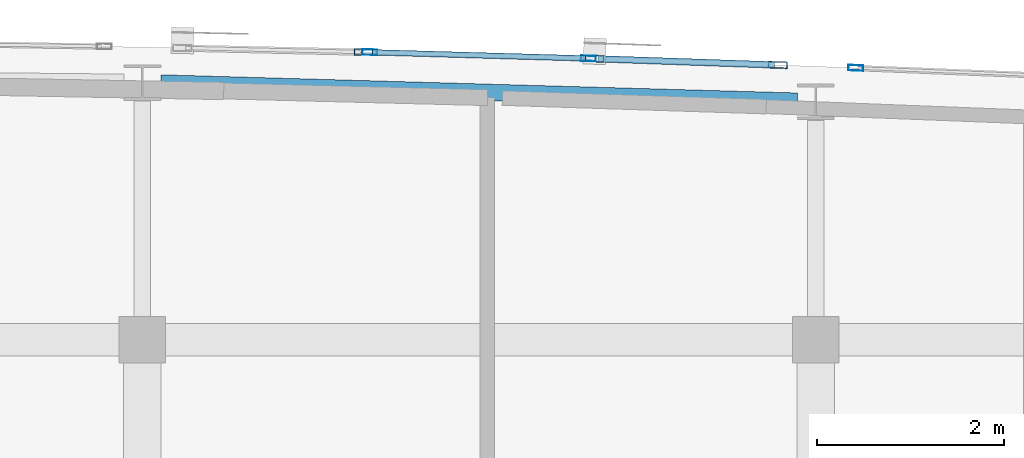
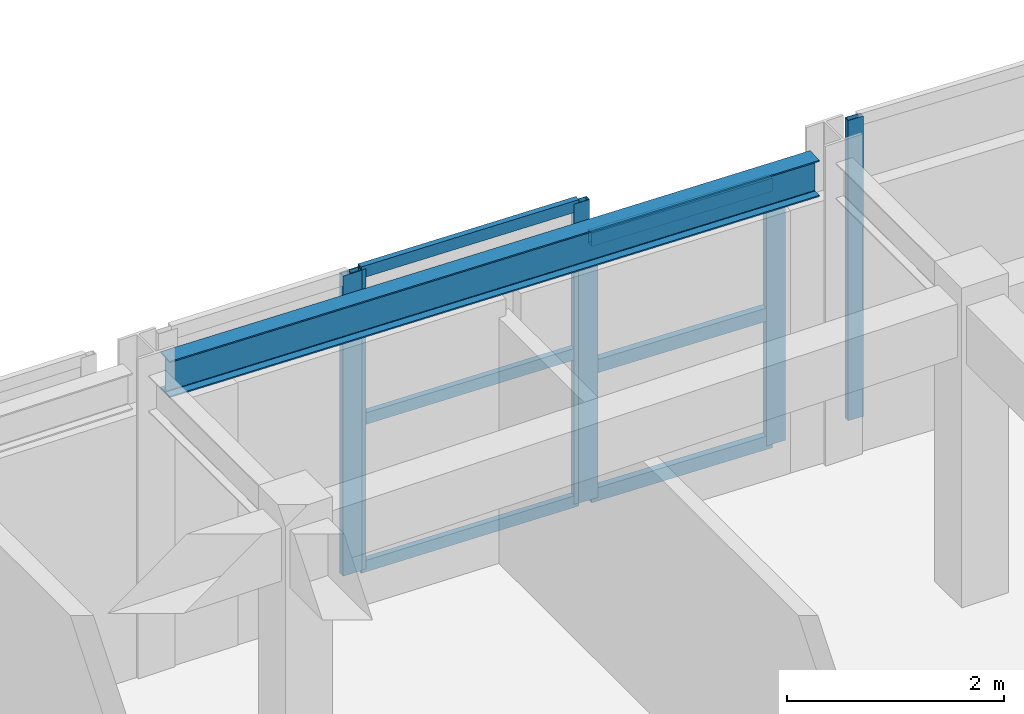
# One storey, part 18 of 34: 12 members, 1 beam, 4 elements without a shape of their own.
"""IFC4 building model written with IfcOpenShell, lengths in metres."""

from ifc_helpers import new_model, si_unit, direction, frame, origin, origin_2d, place, context, subcontext, project, spatial, hollow_rectangle, i_section, extrude, material, layer, layer_set, material_profile, profile_set, type_object, element, aggregate, save


model = new_model("IFC4")

# Units and contexts
model_context = context("Model", 3, precision=1e-05, world=origin(), true_north=direction((0.0, 1.0)))
body_context = subcontext(model_context, "Body", "Model", "MODEL_VIEW")
ifc_project = project(units=[si_unit("LENGTHUNIT", "METRE"), si_unit("AREAUNIT", "SQUARE_METRE"), si_unit("VOLUMEUNIT", "CUBIC_METRE"), si_unit("PLANEANGLEUNIT", "RADIAN"), si_unit("MASSUNIT", "GRAM", prefix="KILO")], contexts=[model_context])

# Site, building, storey
site_placement = place(None, origin())
site = spatial("IfcSite", under=ifc_project, at=site_placement, CompositionType="ELEMENT")
building_placement = place(site_placement, origin())
building = spatial("IfcBuilding", under=site, at=building_placement, Name="Carrowvane Square Congress Hotel", CompositionType="ELEMENT")
storey_placement = place(building_placement, frame((0.0, 0.0, 40.800048828125)))
storey = spatial("IfcBuildingStorey", under=building, at=storey_placement, Name="L10", CompositionType="ELEMENT", Elevation=40.800048828125)

# Beam
ifc_material_1 = material(Name="Steel S355", Category="steel")
ifc_material_profile_1 = material_profile(ifc_material_1, i_section(OverallWidth=0.1787109375, OverallDepth=0.409423828125, WebThickness=0.0087890625, FlangeThickness=0.014404296875, FilletRadius=0.01025390625, at=origin_2d()), Name="UKB 406x178x67")
ifc_profile_set_1 = profile_set([ifc_material_profile_1], Name="Steel S355")
beam_type = type_object("IfcBeamType", Name="BM-ST-UKB406", PredefinedType="BEAM", material=ifc_profile_set_1)
beam_placement = place(storey_placement, frame((105.397216796875, 116.14404296875, 3.17529296875), z_axis=(0.999592525084, -0.028544417936, 0.0), x_axis=(0.028544417936, 0.999592525084, 0.0)))
element("IfcBeam", 1, at=beam_placement, inside=storey, type_object=beam_type, Name="L11 curved north spandrel", PredefinedType="BEAM", context=body_context, shape_type="SweptSolid", body=[
    extrude(i_section(OverallWidth=0.1787109375, OverallDepth=0.409423828125, WebThickness=0.0087890625, FlangeThickness=0.014404296875, FilletRadius=0.01025390625, at=origin_2d()), origin(), (0.0, 0.0, 1.0), 6.80810546875),
])

# Curtain wall, members
ifc_material_2 = material(Name="Anodised aluminium", Category="aluminium")
ifc_layer_1 = layer(ifc_material_2, 0.18603515625)
ifc_layer_set_1 = layer_set([ifc_layer_1], Name="Anodised aluminium")
curtain_wall_type_1 = type_object("IfcCurtainWallType", Name="CW-SYS-3", PredefinedType="NOTDEFINED", material=ifc_layer_set_1)
curtain_wall_1_placement = place(storey_placement, origin())
curtain_wall_1 = element("IfcCurtainWall", 2, at=curtain_wall_1_placement, inside=storey, type_object=curtain_wall_type_1, Name="L10 unitised curtain wall 578", PredefinedType="NOTDEFINED")
ifc_material_3 = material(Name="Anodised aluminium", Category="aluminium")
ifc_material_profile_2 = material_profile(ifc_material_3, hollow_rectangle(XDim=0.06005859375, YDim=0.159912109375, WallThickness=0.00390625, at=origin_2d()), Name="CW-ML 60x160x4")
ifc_profile_set_2 = profile_set([ifc_material_profile_2], Name="Anodised aluminium")
member_type_1 = type_object("IfcMemberType", Name="CW-MUL-1", PredefinedType="MULLION", material=ifc_profile_set_2)
member_1_placement = place(storey_placement, frame((107.6298828125, 116.474853515625, 0.0), z_axis=(0.0, 0.0, 1.0), x_axis=(0.028638010501, 0.999589848065, 0.0)))
member_1 = element("IfcMember", 3, at=member_1_placement, type_object=member_type_1, Name="CW-3 mullion 1", PredefinedType="MULLION", context=body_context, shape_type="SweptSolid", body=[
    extrude(hollow_rectangle(XDim=0.06005859375, YDim=0.159912109375, WallThickness=0.00390625, at=origin_2d()), origin(), (0.0, 0.0, 1.0), 3.3798828125),
])
member_2_placement = place(storey_placement, frame((109.969970703125, 116.40771484375, 0.0), z_axis=(0.0, 0.0, 1.0), x_axis=(0.028638010501, 0.999589848065, 0.0)))
member_2 = element("IfcMember", 4, at=member_2_placement, type_object=member_type_1, Name="CW-3 mullion 2", PredefinedType="MULLION", context=body_context, shape_type="SweptSolid", body=[
    extrude(hollow_rectangle(XDim=0.06005859375, YDim=0.159912109375, WallThickness=0.00390625, at=origin_2d()), origin(), (0.0, 0.0, 1.0), 3.3798828125),
])

# Curtain wall, member
ifc_material_4 = material(Name="Anodised aluminium", Category="aluminium")
ifc_layer_2 = layer(ifc_material_4, 0.2099609375)
ifc_layer_set_2 = layer_set([ifc_layer_2], Name="Anodised aluminium")
curtain_wall_type_2 = type_object("IfcCurtainWallType", Name="CW-SYS-5", PredefinedType="NOTDEFINED", material=ifc_layer_set_2)
curtain_wall_2_placement = place(storey_placement, origin())
curtain_wall_2 = element("IfcCurtainWall", 5, at=curtain_wall_2_placement, inside=storey, type_object=curtain_wall_type_2, Name="L10 unitised curtain wall 580", PredefinedType="NOTDEFINED")
member_3_placement = place(storey_placement, frame((112.828857421875, 116.306884765625, 0.0), z_axis=(0.0, 0.0, 1.0), x_axis=(0.040130957403, 0.999194428656, 0.0)))
member_3 = element("IfcMember", 6, at=member_3_placement, type_object=member_type_1, Name="CW-5 mullion 1", PredefinedType="MULLION", context=body_context, shape_type="SweptSolid", body=[
    extrude(hollow_rectangle(XDim=0.06005859375, YDim=0.159912109375, WallThickness=0.00390625, at=origin_2d()), origin(), (0.0, 0.0, 1.0), 3.3798828125),
])
aggregate(curtain_wall_2, [member_3])

ifc_material_5 = material(Name="Anodised aluminium", Category="aluminium")
ifc_layer_3 = layer(ifc_material_5, 0.174072265625)
ifc_layer_set_3 = layer_set([ifc_layer_3], Name="Anodised aluminium")
curtain_wall_type_3 = type_object("IfcCurtainWallType", Name="CW-SYS-2", PredefinedType="NOTDEFINED", material=ifc_layer_set_3)
curtain_wall_3_placement = place(storey_placement, origin())
curtain_wall_3 = element("IfcCurtainWall", 7, at=curtain_wall_3_placement, inside=storey, type_object=curtain_wall_type_3, Name="L10 unitised curtain wall 577", PredefinedType="NOTDEFINED")
ifc_material_6 = material(Name="Anodised aluminium", Category="aluminium")
ifc_material_profile_3 = material_profile(ifc_material_6, hollow_rectangle(XDim=0.070068359375, YDim=0.199951171875, WallThickness=0.0048828125, at=origin_2d()), Name="CW-ML 70x200x5")
ifc_profile_set_3 = profile_set([ifc_material_profile_3], Name="Anodised aluminium")
member_type_2 = type_object("IfcMemberType", Name="CW-MUL-2", PredefinedType="MULLION", material=ifc_profile_set_3)
member_4_placement = place(storey_placement, frame((107.56494140625, 116.4765625, 0.0), z_axis=(0.0, 0.0, 1.0), x_axis=(0.022517686606, 0.99974644475, 0.0)))
member_4 = element("IfcMember", 8, at=member_4_placement, type_object=member_type_2, Name="CW-2 mullion 2", PredefinedType="MULLION", context=body_context, shape_type="SweptSolid", body=[
    extrude(hollow_rectangle(XDim=0.070068359375, YDim=0.199951171875, WallThickness=0.0048828125, at=origin_2d()), origin(), (0.0, 0.0, 1.0), 3.3798828125),
])
aggregate(curtain_wall_3, [member_4])

# Curtain wall, members
ifc_material_7 = material(Name="Anodised aluminium", Category="aluminium")
ifc_layer_4 = layer(ifc_material_7, 0.197998046875)
ifc_layer_set_4 = layer_set([ifc_layer_4], Name="Anodised aluminium")
curtain_wall_type_4 = type_object("IfcCurtainWallType", Name="CW-SYS-4", PredefinedType="NOTDEFINED", material=ifc_layer_set_4)
curtain_wall_4_placement = place(storey_placement, origin())
curtain_wall_4 = element("IfcCurtainWall", 9, at=curtain_wall_4_placement, inside=storey, type_object=curtain_wall_type_4, Name="L10 unitised curtain wall 579", PredefinedType="NOTDEFINED")
member_5_placement = place(storey_placement, frame((110.034912109375, 116.40576171875, 0.0), z_axis=(0.0, 0.0, 1.0), x_axis=(0.034529948347, 0.999403663525, 0.0)))
member_5 = element("IfcMember", 10, at=member_5_placement, type_object=member_type_2, Name="CW-4 mullion 1", PredefinedType="MULLION", context=body_context, shape_type="SweptSolid", body=[
    extrude(hollow_rectangle(XDim=0.070068359375, YDim=0.199951171875, WallThickness=0.0048828125, at=origin_2d()), origin(), (0.0, 0.0, 1.0), 2.95556640625),
])
member_6_placement = place(storey_placement, frame((111.99462890625, 116.338134765625, 0.0), z_axis=(0.0, 0.0, 1.0), x_axis=(0.034529948347, 0.999403663525, 0.0)))
member_6 = element("IfcMember", 11, at=member_6_placement, type_object=member_type_2, Name="CW-4 mullion 2", PredefinedType="MULLION", context=body_context, shape_type="SweptSolid", body=[
    extrude(hollow_rectangle(XDim=0.070068359375, YDim=0.199951171875, WallThickness=0.0048828125, at=origin_2d()), origin(), (0.0, 0.0, 1.0), 2.95556640625),
])

# Member
ifc_material_8 = material(Name="Anodised aluminium", Category="aluminium")
ifc_material_profile_4 = material_profile(ifc_material_8, hollow_rectangle(XDim=0.06005859375, YDim=0.1298828125, WallThickness=0.00390625, at=origin_2d()), Name="CW-TR 60x130x4")
ifc_profile_set_4 = profile_set([ifc_material_profile_4], Name="Anodised aluminium")
member_type_3 = type_object("IfcMemberType", Name="CW-TRN-1", PredefinedType="USERDEFINED", material=ifc_profile_set_4)
member_7_placement = place(storey_placement, frame((107.659912109375, 116.473876953125, 0.030029296875), z_axis=(0.999591562471, -0.028578107632, 0.0), x_axis=(0.028578107632, 0.999591562471, 0.0)))
member_7 = element("IfcMember", 12, at=member_7_placement, type_object=member_type_3, Name="CW-3 transom 1.1", ObjectType="TRANSOM", PredefinedType="USERDEFINED", context=body_context, shape_type="SweptSolid", body=[
    extrude(hollow_rectangle(XDim=0.06005859375, YDim=0.1298828125, WallThickness=0.00390625, at=origin_2d()), origin(), (0.0, 0.0, 1.0), 2.281005859375),
])

member_8_placement = place(storey_placement, frame((107.659912109375, 116.473876953125, 1.68994140625), z_axis=(0.999591562471, -0.028578107632, 0.0), x_axis=(0.028578107632, 0.999591562471, 0.0)))
member_8 = element("IfcMember", 13, at=member_8_placement, type_object=member_type_3, Name="CW-3 transom 1.2", ObjectType="TRANSOM", PredefinedType="USERDEFINED", context=body_context, shape_type="SweptSolid", body=[
    extrude(hollow_rectangle(XDim=0.06005859375, YDim=0.1298828125, WallThickness=0.00390625, at=origin_2d()), origin(), (0.0, 0.0, 1.0), 2.281005859375),
])

member_9_placement = place(storey_placement, frame((107.659912109375, 116.473876953125, 3.349853515625), z_axis=(0.999591562471, -0.028578107632, 0.0), x_axis=(0.028578107632, 0.999591562471, 0.0)))
member_9 = element("IfcMember", 14, at=member_9_placement, type_object=member_type_3, Name="CW-3 transom 1.3", ObjectType="TRANSOM", PredefinedType="USERDEFINED", context=body_context, shape_type="SweptSolid", body=[
    extrude(hollow_rectangle(XDim=0.06005859375, YDim=0.1298828125, WallThickness=0.00390625, at=origin_2d()), origin(), (0.0, 0.0, 1.0), 2.281005859375),
])

aggregate(curtain_wall_1, [member_1, member_2, member_7, member_8, member_9])

ifc_material_9 = material(Name="Anodised aluminium", Category="aluminium")
ifc_material_profile_5 = material_profile(ifc_material_9, hollow_rectangle(XDim=0.070068359375, YDim=0.14990234375, WallThickness=0.0048828125, at=origin_2d()), Name="CW-TR 70x150x5")
ifc_profile_set_5 = profile_set([ifc_material_profile_5], Name="Anodised aluminium")
member_type_4 = type_object("IfcMemberType", Name="CW-TRN-2", PredefinedType="USERDEFINED", material=ifc_profile_set_5)
member_10_placement = place(storey_placement, frame((110.070068359375, 116.404541015625, 0.034912109375), z_axis=(0.999400927338, -0.034609051367, 0.0), x_axis=(0.034609051367, 0.999400927338, 0.0)))
member_10 = element("IfcMember", 15, at=member_10_placement, type_object=member_type_4, Name="CW-4 transom 1.1", ObjectType="TRANSOM", PredefinedType="USERDEFINED", context=body_context, shape_type="SweptSolid", body=[
    extrude(hollow_rectangle(XDim=0.070068359375, YDim=0.14990234375, WallThickness=0.0048828125, at=origin_2d()), origin(), (0.0, 0.0, 1.0), 1.890625),
])

member_11_placement = place(storey_placement, frame((110.070068359375, 116.404541015625, 1.477783203125), z_axis=(0.999400927338, -0.034609051367, 0.0), x_axis=(0.034609051367, 0.999400927338, 0.0)))
member_11 = element("IfcMember", 16, at=member_11_placement, type_object=member_type_4, Name="CW-4 transom 1.2", ObjectType="TRANSOM", PredefinedType="USERDEFINED", context=body_context, shape_type="SweptSolid", body=[
    extrude(hollow_rectangle(XDim=0.070068359375, YDim=0.14990234375, WallThickness=0.0048828125, at=origin_2d()), origin(), (0.0, 0.0, 1.0), 1.890625),
])

member_12_placement = place(storey_placement, frame((110.070068359375, 116.404541015625, 2.920654296875), z_axis=(0.999400927338, -0.034609051367, 0.0), x_axis=(0.034609051367, 0.999400927338, 0.0)))
member_12 = element("IfcMember", 17, at=member_12_placement, type_object=member_type_4, Name="CW-4 transom 1.3", ObjectType="TRANSOM", PredefinedType="USERDEFINED", context=body_context, shape_type="SweptSolid", body=[
    extrude(hollow_rectangle(XDim=0.070068359375, YDim=0.14990234375, WallThickness=0.0048828125, at=origin_2d()), origin(), (0.0, 0.0, 1.0), 1.890625),
])

aggregate(curtain_wall_4, [member_5, member_6, member_10, member_11, member_12])

save(model, "model.ifc")
